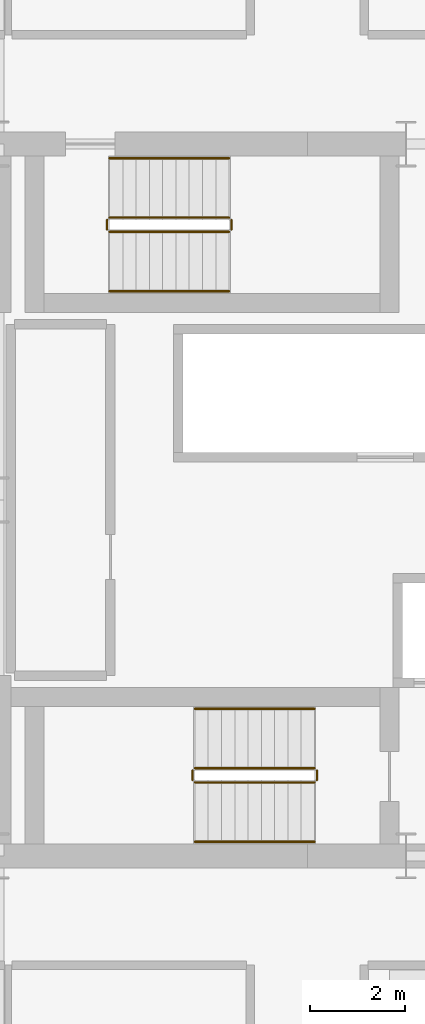
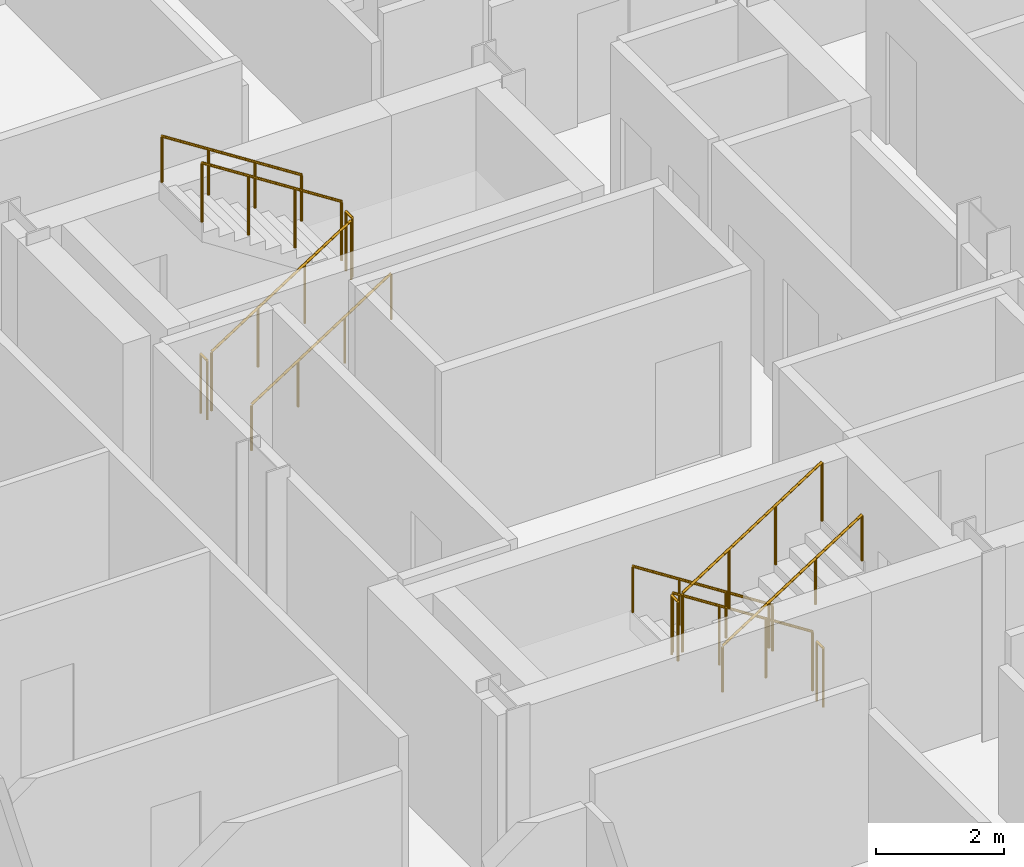
# One storey, part 19 of 20: 12 railings.
"""IFC4 building model written with IfcOpenShell, lengths in metres."""

from ifc_helpers import new_model, si_unit, direction, frame, origin, origin_2d, place, context, subcontext, project, spatial, circle, extrude, material, type_object, element, save


model = new_model("IFC4")

# Units and contexts
model_context = context("Model", 3, precision=1e-05, world=origin(), true_north=direction((0.0, 1.0)))
body_context = subcontext(model_context, "Body", "Model", "MODEL_VIEW")
ifc_project = project(units=[si_unit("LENGTHUNIT", "METRE"), si_unit("AREAUNIT", "SQUARE_METRE"), si_unit("VOLUMEUNIT", "CUBIC_METRE"), si_unit("PLANEANGLEUNIT", "RADIAN"), si_unit("MASSUNIT", "GRAM", prefix="KILO")], contexts=[model_context])

# Site, building, storey
site_placement = place(None, origin())
site = spatial("IfcSite", under=ifc_project, at=site_placement, CompositionType="ELEMENT")
building_placement = place(site_placement, origin())
building = spatial("IfcBuilding", under=site, at=building_placement, Name="Barlavira Tower and Art Museum", CompositionType="ELEMENT")
storey_placement = place(building_placement, frame((0.0, 0.0, 136.800048828125)))
storey = spatial("IfcBuildingStorey", under=building, at=storey_placement, Name="L34", CompositionType="ELEMENT", Elevation=136.800048828125)

# Railings
ifc_material = material(Name="Brushed stainless steel", Category="steel")
railing_type_1 = type_object("IfcRailingType", Name="Interior Void and Landing Guard Railing 1150", PredefinedType="GUARDRAIL", material=ifc_material)
railing_1_placement = place(storey_placement, frame((0.14990234375, -5.64990234375, 0.179931640625)))
element("IfcRailing", 1, at=railing_1_placement, inside=storey, type_object=railing_type_1, Name="L34 ST-T1 stair guard 1", PredefinedType="GUARDRAIL", context=body_context, shape_type="SweptSolid", body=[
    extrude(circle(Radius=0.02392578125, at=origin_2d()), frame((0.0, 0.0, 1.1259765625), z_axis=(-0.841162588446, 0.0, 0.540782303519), x_axis=(0.0, -1.0, 0.0)), (0.0, 0.0, 1.0), 2.995849609375),
    extrude(circle(Radius=0.02099609375, at=origin_2d()), origin(), (0.0, 0.0, 1.0), 1.101806640625),
    extrude(circle(Radius=0.02099609375, at=origin_2d()), frame((-0.840087890625, 0.0, 0.5400390625)), (0.0, 0.0, 1.0), 1.101806640625),
    extrude(circle(Radius=0.02099609375, at=origin_2d()), frame((-1.679931640625, 0.0, 1.080078125)), (0.0, 0.0, 1.0), 1.101806640625),
    extrude(circle(Radius=0.02099609375, at=origin_2d()), frame((-2.52001953125, 0.0, 1.6201171875)), (0.0, 0.0, 1.0), 1.101806640625),
])
railing_2_placement = place(storey_placement, frame((-2.419921875, -5.699951171875, 1.800048828125)))
element("IfcRailing", 2, at=railing_2_placement, inside=storey, type_object=railing_type_1, Name="L34 ST-T1 stair guard 2", PredefinedType="GUARDRAIL", context=body_context, shape_type="SweptSolid", body=[
    extrude(circle(Radius=0.02392578125, at=origin_2d()), frame((0.0, 0.0, 1.1259765625), z_axis=(0.0, -1.0, 0.0), x_axis=(1.0, 0.0, 0.0)), (0.0, 0.0, 1.0), 0.199951171875),
    extrude(circle(Radius=0.02099609375, at=origin_2d()), origin(), (0.0, 0.0, 1.0), 1.101806640625),
    extrude(circle(Radius=0.02099609375, at=origin_2d()), frame((0.0, -0.199951171875, 0.0)), (0.0, 0.0, 1.0), 1.101806640625),
])
railing_3_placement = place(storey_placement, frame((-2.3701171875, -5.949951171875, 1.97998046875)))
element("IfcRailing", 3, at=railing_3_placement, inside=storey, type_object=railing_type_1, Name="L34 ST-T1 stair guard 3", PredefinedType="GUARDRAIL", context=body_context, shape_type="SweptSolid", body=[
    extrude(circle(Radius=0.02392578125, at=origin_2d()), frame((0.0, 0.0, 1.1259765625), z_axis=(0.841199657755, 0.0, 0.540724639528), x_axis=(0.0, 1.0, 0.0)), (0.0, 0.0, 1.0), 2.995849609375),
    extrude(circle(Radius=0.02099609375, at=origin_2d()), origin(), (0.0, 0.0, 1.0), 1.101806640625),
    extrude(circle(Radius=0.02099609375, at=origin_2d()), frame((0.840087890625, 0.0, 0.5400390625)), (0.0, 0.0, 1.0), 1.101806640625),
    extrude(circle(Radius=0.02099609375, at=origin_2d()), frame((1.679931640625, 0.0, 1.079833984375)), (0.0, 0.0, 1.0), 1.101806640625),
    extrude(circle(Radius=0.02099609375, at=origin_2d()), frame((2.52001953125, 0.0, 1.619873046875)), (0.0, 0.0, 1.0), 1.101806640625),
])
railing_4_placement = place(storey_placement, frame((0.199951171875, -5.699951171875, 0.0)))
element("IfcRailing", 4, at=railing_4_placement, inside=storey, type_object=railing_type_1, Name="L34 ST-T1 stair guard 4", PredefinedType="GUARDRAIL", context=body_context, shape_type="SweptSolid", body=[
    extrude(circle(Radius=0.02392578125, at=origin_2d()), frame((0.0, 0.0, 1.1259765625), z_axis=(0.0, -1.0, 0.0), x_axis=(1.0, 0.0, 0.0)), (0.0, 0.0, 1.0), 0.199951171875),
    extrude(circle(Radius=0.02099609375, at=origin_2d()), origin(), (0.0, 0.0, 1.0), 1.101806640625),
    extrude(circle(Radius=0.02099609375, at=origin_2d()), frame((0.0, -0.199951171875, 0.0)), (0.0, 0.0, 1.0), 1.101806640625),
])
railing_5_placement = place(storey_placement, frame((-4.169921875, 5.64990234375, 0.179931640625)))
element("IfcRailing", 5, at=railing_5_placement, inside=storey, type_object=railing_type_1, Name="L34 ST-T2 stair guard 1", PredefinedType="GUARDRAIL", context=body_context, shape_type="SweptSolid", body=[
    extrude(circle(Radius=0.02392578125, at=origin_2d()), frame((0.0, 0.0, 1.1259765625), z_axis=(0.841162588446, 0.0, 0.540782303519), x_axis=(0.0, 1.0, 0.0)), (0.0, 0.0, 1.0), 2.995849609375),
    extrude(circle(Radius=0.02099609375, at=origin_2d()), origin(), (0.0, 0.0, 1.0), 1.101806640625),
    extrude(circle(Radius=0.02099609375, at=origin_2d()), frame((0.840087890625, 0.0, 0.5400390625)), (0.0, 0.0, 1.0), 1.101806640625),
    extrude(circle(Radius=0.02099609375, at=origin_2d()), frame((1.679931640625, 0.0, 1.080078125)), (0.0, 0.0, 1.0), 1.101806640625),
    extrude(circle(Radius=0.02099609375, at=origin_2d()), frame((2.52001953125, 0.0, 1.6201171875)), (0.0, 0.0, 1.0), 1.101806640625),
])
railing_6_placement = place(storey_placement, frame((-1.60009765625, 5.699951171875, 1.800048828125)))
element("IfcRailing", 6, at=railing_6_placement, inside=storey, type_object=railing_type_1, Name="L34 ST-T2 stair guard 2", PredefinedType="GUARDRAIL", context=body_context, shape_type="SweptSolid", body=[
    extrude(circle(Radius=0.02392578125, at=origin_2d()), frame((0.0, 0.0, 1.1259765625), z_axis=(0.0, 1.0, 0.0), x_axis=(-1.0, 0.0, 0.0)), (0.0, 0.0, 1.0), 0.199951171875),
    extrude(circle(Radius=0.02099609375, at=origin_2d()), origin(), (0.0, 0.0, 1.0), 1.101806640625),
    extrude(circle(Radius=0.02099609375, at=origin_2d()), frame((0.0, 0.199951171875, 0.0)), (0.0, 0.0, 1.0), 1.101806640625),
])
railing_7_placement = place(storey_placement, frame((-1.64990234375, 5.949951171875, 1.97998046875)))
element("IfcRailing", 7, at=railing_7_placement, inside=storey, type_object=railing_type_1, Name="L34 ST-T2 stair guard 3", PredefinedType="GUARDRAIL", context=body_context, shape_type="SweptSolid", body=[
    extrude(circle(Radius=0.02392578125, at=origin_2d()), frame((0.0, 0.0, 1.1259765625), z_axis=(-0.841199657755, 0.0, 0.540724639528), x_axis=(0.0, -1.0, 0.0)), (0.0, 0.0, 1.0), 2.995849609375),
    extrude(circle(Radius=0.02099609375, at=origin_2d()), origin(), (0.0, 0.0, 1.0), 1.101806640625),
    extrude(circle(Radius=0.02099609375, at=origin_2d()), frame((-0.840087890625, 0.0, 0.5400390625)), (0.0, 0.0, 1.0), 1.101806640625),
    extrude(circle(Radius=0.02099609375, at=origin_2d()), frame((-1.679931640625, 0.0, 1.079833984375)), (0.0, 0.0, 1.0), 1.101806640625),
    extrude(circle(Radius=0.02099609375, at=origin_2d()), frame((-2.52001953125, 0.0, 1.619873046875)), (0.0, 0.0, 1.0), 1.101806640625),
])
railing_8_placement = place(storey_placement, frame((-4.219970703125, 5.699951171875, 0.0)))
element("IfcRailing", 8, at=railing_8_placement, inside=storey, type_object=railing_type_1, Name="L34 ST-T2 stair guard 4", PredefinedType="GUARDRAIL", context=body_context, shape_type="SweptSolid", body=[
    extrude(circle(Radius=0.02392578125, at=origin_2d()), frame((0.0, 0.0, 1.1259765625), z_axis=(0.0, 1.0, 0.0), x_axis=(-1.0, 0.0, 0.0)), (0.0, 0.0, 1.0), 0.199951171875),
    extrude(circle(Radius=0.02099609375, at=origin_2d()), origin(), (0.0, 0.0, 1.0), 1.101806640625),
    extrude(circle(Radius=0.02099609375, at=origin_2d()), frame((0.0, 0.199951171875, 0.0)), (0.0, 0.0, 1.0), 1.101806640625),
])
railing_type_2 = type_object("IfcRailingType", Name="Stair Pitch Tubular Steel Handrail 920", PredefinedType="HANDRAIL", material=ifc_material)
railing_9_placement = place(storey_placement, frame((0.14990234375, -4.39990234375, 0.179931640625)))
element("IfcRailing", 9, at=railing_9_placement, inside=storey, type_object=railing_type_2, Name="L34 ST-T1 stair handrail 1", PredefinedType="HANDRAIL", context=body_context, shape_type="SweptSolid", body=[
    extrude(circle(Radius=0.02392578125, at=origin_2d()), frame((0.0, 0.0, 0.8759765625), z_axis=(-0.841162588446, 0.0, 0.540782303519), x_axis=(0.0, -1.0, 0.0)), (0.0, 0.0, 1.0), 2.995849609375),
    extrude(circle(Radius=0.02099609375, at=origin_2d()), origin(), (0.0, 0.0, 1.0), 0.851806640625),
    extrude(circle(Radius=0.02099609375, at=origin_2d()), frame((-0.840087890625, 0.0, 0.5400390625)), (0.0, 0.0, 1.0), 0.851806640625),
    extrude(circle(Radius=0.02099609375, at=origin_2d()), frame((-1.679931640625, 0.0, 1.080078125)), (0.0, 0.0, 1.0), 0.851806640625),
    extrude(circle(Radius=0.02099609375, at=origin_2d()), frame((-2.52001953125, 0.0, 1.6201171875)), (0.0, 0.0, 1.0), 0.851806640625),
])
railing_10_placement = place(storey_placement, frame((-2.3701171875, -7.199951171875, 1.97998046875)))
element("IfcRailing", 10, at=railing_10_placement, inside=storey, type_object=railing_type_2, Name="L34 ST-T1 stair handrail 2", PredefinedType="HANDRAIL", context=body_context, shape_type="SweptSolid", body=[
    extrude(circle(Radius=0.02392578125, at=origin_2d()), frame((0.0, 0.0, 0.8759765625), z_axis=(0.841199657755, 0.0, 0.540724639528), x_axis=(0.0, 1.0, 0.0)), (0.0, 0.0, 1.0), 2.995849609375),
    extrude(circle(Radius=0.02099609375, at=origin_2d()), origin(), (0.0, 0.0, 1.0), 0.851806640625),
    extrude(circle(Radius=0.02099609375, at=origin_2d()), frame((0.840087890625, 0.0, 0.5400390625)), (0.0, 0.0, 1.0), 0.851806640625),
    extrude(circle(Radius=0.02099609375, at=origin_2d()), frame((1.679931640625, 0.0, 1.079833984375)), (0.0, 0.0, 1.0), 0.851806640625),
    extrude(circle(Radius=0.02099609375, at=origin_2d()), frame((2.52001953125, 0.0, 1.619873046875)), (0.0, 0.0, 1.0), 0.851806640625),
])
railing_11_placement = place(storey_placement, frame((-4.169921875, 4.39990234375, 0.179931640625)))
element("IfcRailing", 11, at=railing_11_placement, inside=storey, type_object=railing_type_2, Name="L34 ST-T2 stair handrail 1", PredefinedType="HANDRAIL", context=body_context, shape_type="SweptSolid", body=[
    extrude(circle(Radius=0.02392578125, at=origin_2d()), frame((0.0, 0.0, 0.8759765625), z_axis=(0.841162588446, 0.0, 0.540782303519), x_axis=(0.0, 1.0, 0.0)), (0.0, 0.0, 1.0), 2.995849609375),
    extrude(circle(Radius=0.02099609375, at=origin_2d()), origin(), (0.0, 0.0, 1.0), 0.851806640625),
    extrude(circle(Radius=0.02099609375, at=origin_2d()), frame((0.840087890625, 0.0, 0.5400390625)), (0.0, 0.0, 1.0), 0.851806640625),
    extrude(circle(Radius=0.02099609375, at=origin_2d()), frame((1.679931640625, 0.0, 1.080078125)), (0.0, 0.0, 1.0), 0.851806640625),
    extrude(circle(Radius=0.02099609375, at=origin_2d()), frame((2.52001953125, 0.0, 1.6201171875)), (0.0, 0.0, 1.0), 0.851806640625),
])
railing_12_placement = place(storey_placement, frame((-1.64990234375, 7.199951171875, 1.97998046875)))
element("IfcRailing", 12, at=railing_12_placement, inside=storey, type_object=railing_type_2, Name="L34 ST-T2 stair handrail 2", PredefinedType="HANDRAIL", context=body_context, shape_type="SweptSolid", body=[
    extrude(circle(Radius=0.02392578125, at=origin_2d()), frame((0.0, 0.0, 0.8759765625), z_axis=(-0.841199657755, 0.0, 0.540724639528), x_axis=(0.0, -1.0, 0.0)), (0.0, 0.0, 1.0), 2.995849609375),
    extrude(circle(Radius=0.02099609375, at=origin_2d()), origin(), (0.0, 0.0, 1.0), 0.851806640625),
    extrude(circle(Radius=0.02099609375, at=origin_2d()), frame((-0.840087890625, 0.0, 0.5400390625)), (0.0, 0.0, 1.0), 0.851806640625),
    extrude(circle(Radius=0.02099609375, at=origin_2d()), frame((-1.679931640625, 0.0, 1.079833984375)), (0.0, 0.0, 1.0), 0.851806640625),
    extrude(circle(Radius=0.02099609375, at=origin_2d()), frame((-2.52001953125, 0.0, 1.619873046875)), (0.0, 0.0, 1.0), 0.851806640625),
])

save(model, "model.ifc")
